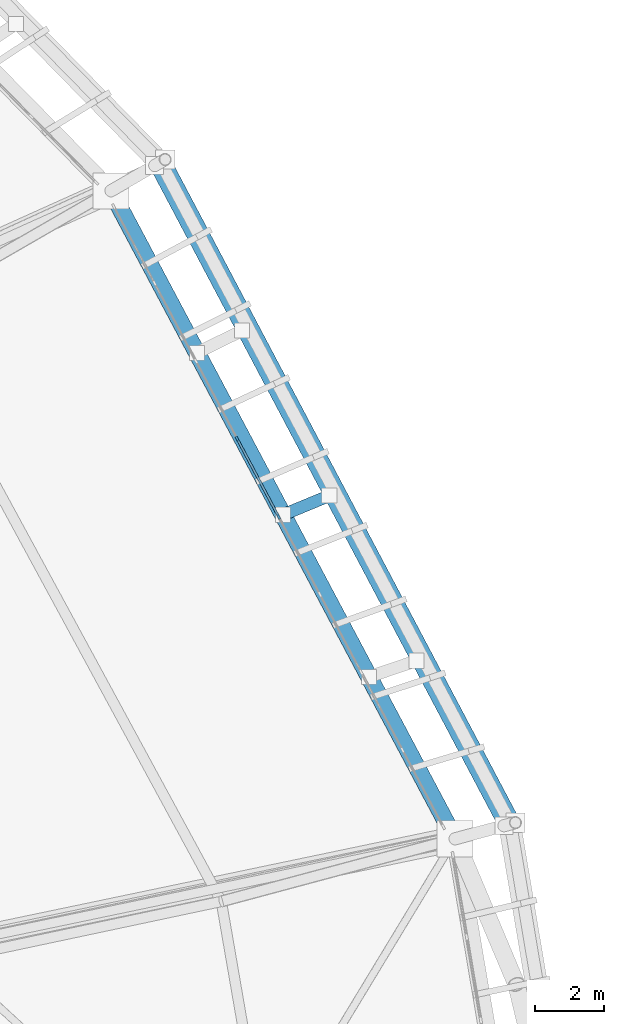
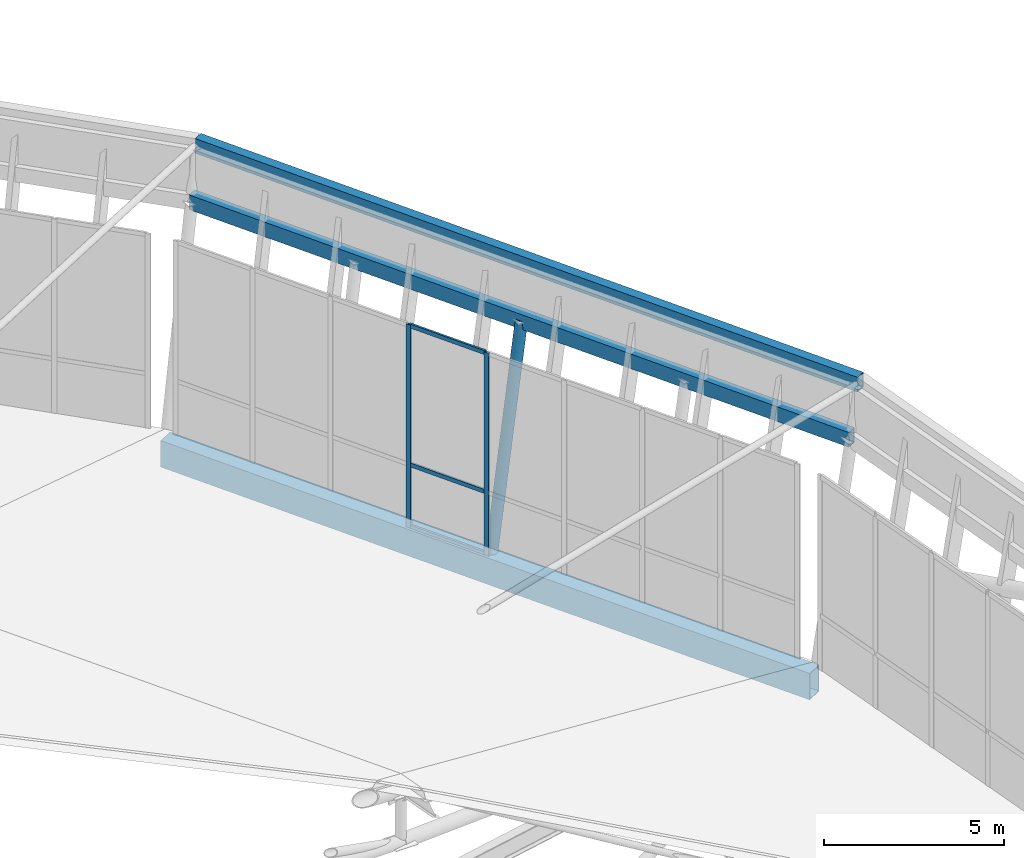
# One storey, part 61 of 115: 6 members, 3 beams, 1 element without a shape of its own.
"""IFC4 building model written with IfcOpenShell, lengths in metres."""

from ifc_helpers import new_model, si_unit, direction, frame, origin, origin_2d, place, context, subcontext, project, spatial, rectangle, hollow_rectangle, hollow_circle, extrude, material, material_profile, profile_set, type_object, element, aggregate, save


model = new_model("IFC4")

# Units and contexts
model_context = context("Model", 3, precision=1e-05, world=origin(), true_north=direction((0.0, 1.0)))
body_context = subcontext(model_context, "Body", "Model", "MODEL_VIEW")
ifc_project = project(units=[si_unit("LENGTHUNIT", "METRE"), si_unit("AREAUNIT", "SQUARE_METRE"), si_unit("VOLUMEUNIT", "CUBIC_METRE"), si_unit("PLANEANGLEUNIT", "RADIAN"), si_unit("MASSUNIT", "GRAM", prefix="KILO")], contexts=[model_context])

# Site, building, storey
site_placement = place(None, origin())
site = spatial("IfcSite", under=ifc_project, at=site_placement, CompositionType="ELEMENT")
building_placement = place(site_placement, origin())
building = spatial("IfcBuilding", under=site, at=building_placement, Name="Zlatoyarsky Gate Stadium", CompositionType="ELEMENT")
storey_placement = place(building_placement, frame((0.0, 0.0, 31.800048828125)))
storey = spatial("IfcBuildingStorey", under=building, at=storey_placement, Name="RF", CompositionType="ELEMENT", Elevation=31.800048828125)

# Curtain wall, members
ifc_material_1 = material(Name="Thermally broken anodised aluminium curtain wall", Category="aluminium")
curtain_wall_type = type_object("IfcCurtainWallType", Name="UNITISED SKYBOX RING GLAZING L05", PredefinedType="USERDEFINED", material=ifc_material_1)
curtain_wall_placement = place(storey_placement, origin())
curtain_wall = element("IfcCurtainWall", 1, at=curtain_wall_placement, inside=storey, type_object=curtain_wall_type, Name="Curtain wall CW-RF-01", ObjectType="UNITISED GLAZING", PredefinedType="USERDEFINED")
ifc_material_2 = material(Name="Anodised aluminium 6063-T6", Category="aluminium")
ifc_material_profile_1 = material_profile(ifc_material_2, rectangle(XDim=0.06494140625, YDim=0.159912109375, at=origin_2d()), Name="ALU 65X160")
ifc_profile_set_1 = profile_set([ifc_material_profile_1], Name="Anodised aluminium 6063-T6")
member_type_1 = type_object("IfcMemberType", Name="ALUMINIUM MULLION 65X160", PredefinedType="MULLION", material=ifc_profile_set_1)
member_1_placement = place(storey_placement, frame((202.49462890625, 109.55126953125, 0.0), z_axis=(0.0, 0.0, 1.0), x_axis=(-0.883130898599, -0.469126652345, 0.0)))
member_1 = element("IfcMember", 2, at=member_1_placement, type_object=member_type_1, Name="CW-UG5 mullion 5", PredefinedType="MULLION", context=body_context, shape_type="SweptSolid", body=[
    extrude(rectangle(XDim=0.06494140625, YDim=0.159912109375, at=origin_2d()), origin(), (0.0, 0.0, 1.0), 6.89990234375),
])
member_2_placement = place(storey_placement, frame((201.294189453125, 111.81103515625, 0.0), z_axis=(0.0, 0.0, 1.0), x_axis=(-0.883130898599, -0.469126652345, 0.0)))
member_2 = element("IfcMember", 3, at=member_2_placement, type_object=member_type_1, Name="CW-UG5 mullion 6", PredefinedType="MULLION", context=body_context, shape_type="SweptSolid", body=[
    extrude(rectangle(XDim=0.06494140625, YDim=0.159912109375, at=origin_2d()), origin(), (0.0, 0.0, 1.0), 6.89990234375),
])
ifc_material_profile_2 = material_profile(ifc_material_2, rectangle(XDim=0.06494140625, YDim=0.139892578125, at=origin_2d()), Name="ALU 65X140")
ifc_profile_set_2 = profile_set([ifc_material_profile_2], Name="Anodised aluminium 6063-T6")
member_type_2 = type_object("IfcMemberType", Name="ALUMINIUM TRANSOM 65X140", PredefinedType="USERDEFINED", material=ifc_profile_set_2)
member_3_placement = place(storey_placement, frame((202.479248046875, 109.580078125, 0.032470703125), z_axis=(-0.469124208683, 0.883132196688, 0.0), x_axis=(-0.883132196688, -0.469124208683, 0.0)))
member_3 = element("IfcMember", 4, at=member_3_placement, type_object=member_type_2, Name="CW-UG5 transom 5.1", ObjectType="TRANSOM", PredefinedType="USERDEFINED", context=body_context, shape_type="SweptSolid", body=[
    extrude(rectangle(XDim=0.06494140625, YDim=0.139892578125, at=origin_2d()), origin(), (0.0, 0.0, 1.0), 2.493896484375),
])
member_4_placement = place(storey_placement, frame((202.479248046875, 109.580078125, 2.14990234375), z_axis=(-0.469124208683, 0.883132196688, 0.0), x_axis=(-0.883132196688, -0.469124208683, 0.0)))
member_4 = element("IfcMember", 5, at=member_4_placement, type_object=member_type_2, Name="CW-UG5 transom 5.2", ObjectType="TRANSOM", PredefinedType="USERDEFINED", context=body_context, shape_type="SweptSolid", body=[
    extrude(rectangle(XDim=0.06494140625, YDim=0.139892578125, at=origin_2d()), origin(), (0.0, 0.0, 1.0), 2.493896484375),
])
member_5_placement = place(storey_placement, frame((202.479248046875, 109.580078125, 6.867431640625), z_axis=(-0.469124208683, 0.883132196688, 0.0), x_axis=(-0.883132196688, -0.469124208683, 0.0)))
member_5 = element("IfcMember", 6, at=member_5_placement, type_object=member_type_2, Name="CW-UG5 transom 5.3", ObjectType="TRANSOM", PredefinedType="USERDEFINED", context=body_context, shape_type="SweptSolid", body=[
    extrude(rectangle(XDim=0.06494140625, YDim=0.139892578125, at=origin_2d()), origin(), (0.0, 0.0, 1.0), 2.493896484375),
])
aggregate(curtain_wall, [member_1, member_2, member_3, member_4, member_5])

# Member
ifc_material_3 = material(Name="Steel S355", Category="steel")
ifc_material_profile_3 = material_profile(ifc_material_3, hollow_circle(Radius=0.177734375, WallThickness=0.02001953125, at=origin_2d()), Name="CHS 355.6X20")
ifc_profile_set_3 = profile_set([ifc_material_profile_3], Name="Steel S355")
member_type_3 = type_object("IfcMemberType", Name="STEEL LEANING RIB RING STRUT CHS 355.6X20", PredefinedType="STRUT", material=ifc_profile_set_3)
member_6_placement = place(storey_placement, frame((202.622802734375, 109.6044921875, -0.449951171875), z_axis=(0.173752651078, 0.071936815772, 0.982158393936), x_axis=(-0.382529611327, 0.92394323227, 0.0)))
element("IfcMember", 7, at=member_6_placement, inside=storey, type_object=member_type_3, Name="Outward-leaning bowl louvre fin rib RF 01-2", PredefinedType="STRUT", context=body_context, shape_type="SweptSolid", body=[
    extrude(hollow_circle(Radius=0.177734375, WallThickness=0.02001953125, at=origin_2d()), origin(), (0.0, 0.0, 1.0), 7.73779296875),
])

# Beams
ifc_material_profile_4 = material_profile(ifc_material_3, hollow_rectangle(XDim=0.300048828125, YDim=0.5, WallThickness=0.02001953125, at=origin_2d()), Name="RHS 500X300X20")
ifc_profile_set_4 = profile_set([ifc_material_profile_4], Name="Steel S355")
beam_type_1 = type_object("IfcBeamType", Name="STEEL LOUVRE CARRIER SPANDREL RHS 500X300X20", PredefinedType="SPANDREL", material=ifc_profile_set_4)
beam_1_placement = place(storey_placement, frame((209.036865234375, 100.574951171875, 7.14990234375), z_axis=(-0.467498743631, 0.88399373567, 0.0), x_axis=(-0.88399373567, -0.467498743631, 0.0)))
element("IfcBeam", 8, at=beam_1_placement, inside=storey, type_object=beam_type_1, Name="Crown eaves fascia bottom carrier spandrel 01", PredefinedType="SPANDREL", context=body_context, shape_type="SweptSolid", body=[
    extrude(hollow_rectangle(XDim=0.300048828125, YDim=0.5, WallThickness=0.02001953125, at=origin_2d()), origin(), (0.0, 0.0, 1.0), 21.688720703125),
])
beam_2_placement = place(storey_placement, frame((209.373779296875, 100.665283203125, 8.849853515625), z_axis=(-0.467144347862, 0.884181066445, 0.0), x_axis=(-0.884181066445, -0.467144347862, 0.0)))
element("IfcBeam", 9, at=beam_2_placement, inside=storey, type_object=beam_type_1, Name="Crown fascia top carrier spandrel 01", PredefinedType="SPANDREL", context=body_context, shape_type="SweptSolid", body=[
    extrude(hollow_rectangle(XDim=0.300048828125, YDim=0.5, WallThickness=0.02001953125, at=origin_2d()), origin(), (0.0, 0.0, 1.0), 21.779296875),
])
ifc_material_profile_5 = material_profile(ifc_material_3, hollow_rectangle(XDim=0.5, YDim=0.89990234375, WallThickness=0.028076171875, at=origin_2d()), Name="RHS 900X500X28")
ifc_profile_set_5 = profile_set([ifc_material_profile_5], Name="Steel S355")
beam_type_2 = type_object("IfcBeamType", Name="STEEL OUTER COMPRESSION RING BEAM RHS 900X500X28", PredefinedType="USERDEFINED", material=ifc_profile_set_5)
beam_3_placement = place(storey_placement, frame((207.619140625, 100.195068359375, -0.449951171875), z_axis=(-0.468978170829, 0.883209757241, 0.0), x_axis=(-0.883209757241, -0.468978170829, 0.0)))
element("IfcBeam", 10, at=beam_3_placement, inside=storey, type_object=beam_type_2, Name="Outer compression ring beam 01", ObjectType="RING BEAM", PredefinedType="USERDEFINED", context=body_context, shape_type="SweptSolid", body=[
    extrude(hollow_rectangle(XDim=0.5, YDim=0.89990234375, WallThickness=0.028076171875, at=origin_2d()), origin(), (0.0, 0.0, 1.0), 21.307373046875),
])

save(model, "model.ifc")
